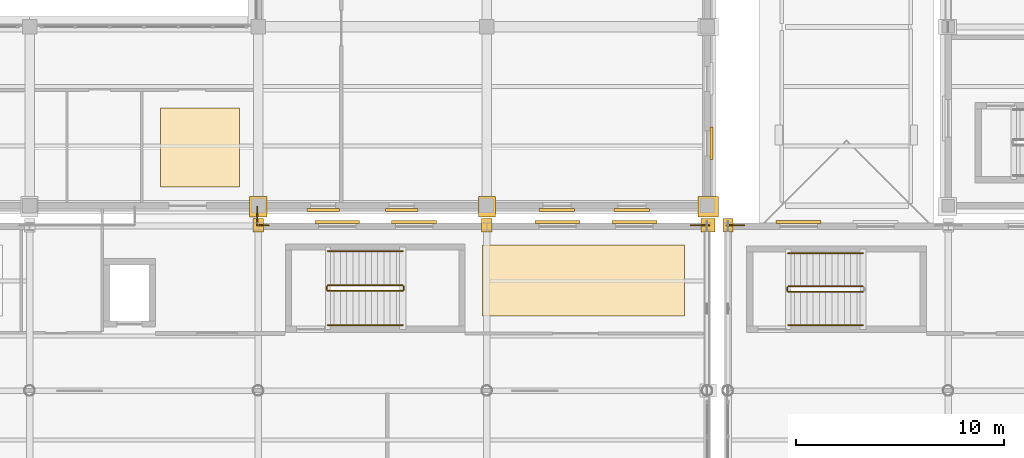
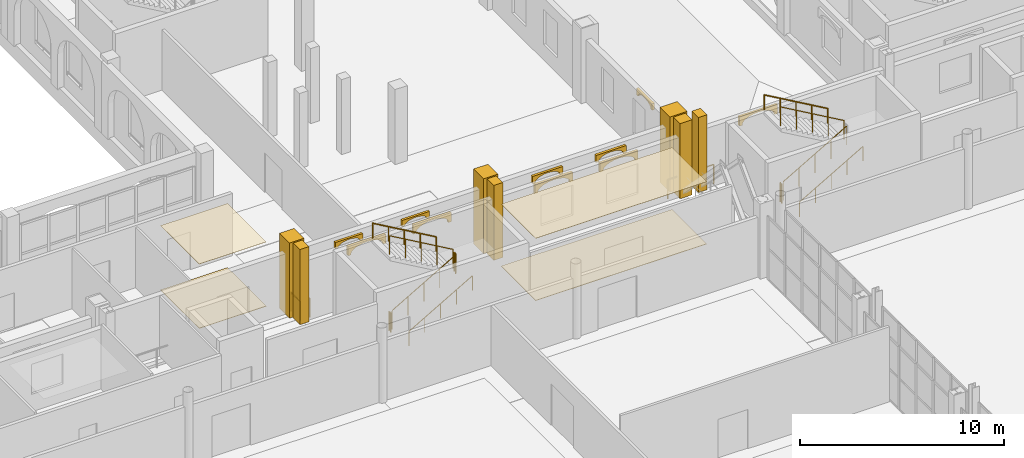
# One storey, part 142 of 156: 21 coverings, 15 railings.
"""IFC4 building model written with IfcOpenShell, lengths in metres."""

from ifc_helpers import new_model, si_unit, direction, frame, origin, origin_2d, place, context, subcontext, project, spatial, polyline, rectangle, circle, outline, extrude, material, layer, layer_set, type_object, element, save


model = new_model("IFC4")

# Units and contexts
model_context = context("Model", 3, precision=1e-05, world=origin(), true_north=direction((0.0, 1.0)))
body_context = subcontext(model_context, "Body", "Model", "MODEL_VIEW")
ifc_project = project(units=[si_unit("LENGTHUNIT", "METRE"), si_unit("AREAUNIT", "SQUARE_METRE"), si_unit("VOLUMEUNIT", "CUBIC_METRE"), si_unit("PLANEANGLEUNIT", "RADIAN"), si_unit("MASSUNIT", "GRAM", prefix="KILO")], contexts=[model_context])

# Site, building, storey
site_placement = place(None, origin())
site = spatial("IfcSite", under=ifc_project, at=site_placement, CompositionType="ELEMENT")
building_placement = place(site_placement, origin())
building = spatial("IfcBuilding", under=site, at=building_placement, Name="Caurita Quay Ferry Terminal", CompositionType="ELEMENT")
storey_placement = place(building_placement, frame((0.0, 0.0, 5.39990234375)))
storey = spatial("IfcBuildingStorey", under=building, at=storey_placement, Name="L01", CompositionType="ELEMENT", Elevation=5.39990234375)

# Coverings
ifc_material_1 = material(Name="Acoustic mineral fibre tile", Category="finish")
ifc_layer_1 = layer(ifc_material_1, 0.02001953125, Name="Acoustic mineral-fibre suspended ceiling 20 mm")
ifc_layer_set_1 = layer_set([ifc_layer_1], Name="Acoustic mineral fibre tile")
covering_type_1 = type_object("IfcCoveringType", Name="COV-CEIL-020", PredefinedType="CEILING", material=ifc_layer_set_1)
covering_1_placement = place(storey_placement, frame((0.0, 0.0, 3.726318359375)))
element("IfcCovering", 1, at=covering_1_placement, inside=storey, type_object=covering_type_1, Name="Caribbean Duty-Free Retail Concession Acoustic Ceiling", PredefinedType="CEILING", context=body_context, shape_type="SweptSolid", body=[
    extrude(outline(polyline([(76.800048828125, 66.300048828125), (86.5, 66.300048828125), (86.5, 69.699951171875), (76.800048828125, 69.699951171875), (76.800048828125, 66.300048828125)])), origin(), (0.0, 0.0, 1.0), 0.019775390625),
])
covering_2_placement = place(storey_placement, frame((0.0, 0.0, 3.853271484375)))
element("IfcCovering", 2, at=covering_2_placement, inside=storey, type_object=covering_type_1, Name="Operations Cleaners Store L01 Acoustic Ceiling", PredefinedType="CEILING", context=body_context, shape_type="SweptSolid", body=[
    extrude(outline(polyline([(61.300048828125, 72.5), (65.10009765625, 72.5), (65.10009765625, 76.300048828125), (61.300048828125, 76.300048828125), (61.300048828125, 72.5)])), origin(), (0.0, 0.0, 1.0), 0.02001953125),
])
ifc_material_2 = material(Name="Polished marine terrazzo tile", Category="finish")
ifc_layer_2 = layer(ifc_material_2, 0.02490234375, Name="Polished marine terrazzo floor finish 25 mm")
ifc_layer_set_2 = layer_set([ifc_layer_2], Name="Polished marine terrazzo tile")
covering_type_2 = type_object("IfcCoveringType", Name="COV-FLR-025", PredefinedType="FLOORING", material=ifc_layer_set_2)
covering_3_placement = place(storey_placement, origin())
element("IfcCovering", 3, at=covering_3_placement, inside=storey, type_object=covering_type_2, Name="Caribbean Duty-Free Retail Concession Terrazzo Flooring", PredefinedType="FLOORING", context=body_context, shape_type="SweptSolid", body=[
    extrude(outline(polyline([(76.800048828125, 66.300048828125), (86.5, 66.300048828125), (86.5, 69.699951171875), (76.800048828125, 69.699951171875), (76.800048828125, 66.300048828125)])), origin(), (0.0, 0.0, 1.0), 0.025146484375),
])
covering_4_placement = place(storey_placement, origin())
element("IfcCovering", 4, at=covering_4_placement, inside=storey, type_object=covering_type_2, Name="Operations Cleaners Store L01 Terrazzo Flooring", PredefinedType="FLOORING", context=body_context, shape_type="SweptSolid", body=[
    extrude(outline(polyline([(61.300048828125, 72.5), (65.10009765625, 72.5), (65.10009765625, 76.300048828125), (61.300048828125, 76.300048828125), (61.300048828125, 72.5)])), origin(), (0.0, 0.0, 1.0), 0.025146484375),
])
ifc_material_3 = material(Name="Warm-white lime stucco masonry", Category="masonry")
ifc_layer_3 = layer(ifc_material_3, 0.179931640625, Name="Classical engaged lime-stucco facade pilaster cladding 180 mm")
ifc_layer_set_3 = layer_set([ifc_layer_3], Name="Warm-white lime stucco masonry")
covering_type_3 = type_object("IfcCoveringType", Name="COV-PIL-CLD", PredefinedType="CLADDING", material=ifc_layer_set_3)
for number, where, z_axis, x_axis, name in (
    (5, (66.0, 70.64990234375, 0.0), (0.0, 0.0, 1.0), (1.0, 0.0, 0.0), "L01 Classical Engaged Pilaster 0059"),
    (6, (77.0, 70.64990234375, 0.0), (0.0, 0.0, 1.0), (1.0, 0.0, 0.0), "L01 Classical Engaged Pilaster 0067"),
):
    element("IfcCovering", number, at=place(storey_placement, frame(where, z_axis=z_axis, x_axis=x_axis)), inside=storey, type_object=covering_type_3, Name=name, PredefinedType="CLADDING", context=body_context, shape_type="SweptSolid", body=[
        extrude(rectangle(XDim=0.513671875, YDim=0.656005859375, at=origin_2d()), origin(), (0.0, 0.0, 1.0), 4.5),
    ])
covering_5_placement = place(storey_placement, frame((87.64990234375, 70.64990234375, 0.0), z_axis=(0.0, 0.0, 1.0), x_axis=(1.0, 0.0, 0.0)))
element("IfcCovering", 7, at=covering_5_placement, inside=storey, type_object=covering_type_3, Name="L01 Classical Engaged Pilaster 0080", PredefinedType="CLADDING", context=body_context, shape_type="SweptSolid", body=[
    extrude(rectangle(XDim=0.673583984375, YDim=0.656005859375, at=origin_2d()), origin(), (0.0, 0.0, 1.0), 4.5),
])
covering_6_placement = place(storey_placement, frame((88.60009765625, 70.64990234375, 0.0), z_axis=(0.0, 0.0, 1.0), x_axis=(1.0, 0.0, 0.0)))
element("IfcCovering", 8, at=covering_6_placement, inside=storey, type_object=covering_type_3, Name="L01 Classical Engaged Pilaster 0087", PredefinedType="CLADDING", context=body_context, shape_type="SweptSolid", body=[
    extrude(rectangle(XDim=0.492919921875, YDim=0.64794921875, at=origin_2d()), origin(), (0.0, 0.0, 1.0), 4.5),
])
for number, where, z_axis, x_axis, name in (
    (9, (66.0, 71.550048828125, 0.0), (0.0, 0.0, 1.0), (1.0, 0.0, 0.0), "L01 Classical Engaged Pilaster 0369"),
    (10, (77.0, 71.550048828125, 0.0), (0.0, 0.0, 1.0), (1.0, 0.0, 0.0), "L01 Classical Engaged Pilaster 0385"),
):
    element("IfcCovering", number, at=place(storey_placement, frame(where, z_axis=z_axis, x_axis=x_axis)), inside=storey, type_object=covering_type_3, Name=name, PredefinedType="CLADDING", context=body_context, shape_type="SweptSolid", body=[
        extrude(rectangle(XDim=0.820068359375, YDim=0.97998046875, at=origin_2d()), origin(), (0.0, 0.0, 1.0), 4.5),
    ])
covering_7_placement = place(storey_placement, frame((87.64990234375, 71.550048828125, 0.0), z_axis=(0.0, 0.0, 1.0), x_axis=(1.0, 0.0, 0.0)))
element("IfcCovering", 11, at=covering_7_placement, inside=storey, type_object=covering_type_3, Name="L01 Classical Engaged Pilaster 0395", PredefinedType="CLADDING", context=body_context, shape_type="SweptSolid", body=[
    extrude(rectangle(XDim=0.97998046875, YDim=0.97998046875, at=origin_2d()), origin(), (0.0, 0.0, 1.0), 4.5),
])
ifc_material_4 = material(Name="Coral stone ashlar cladding", Category="masonry")
ifc_layer_4 = layer(ifc_material_4, 0.139892578125, Name="Spanish Colonial semicircular arched window surround 140 mm")
ifc_layer_set_4 = layer_set([ifc_layer_4], Name="Coral stone ashlar cladding")
covering_type_4 = type_object("IfcCoveringType", Name="COV-WHD-MLD", PredefinedType="MOLDING", material=ifc_layer_set_4)
for number, where, z_axis, x_axis, name in (
    (12, (68.340087890625, 71.385009765625, 3.030029296875), (0.0, 0.0, 1.0), (1.0, 0.0, 0.0), "L01 Arched Window Surround 062"),
    (13, (72.1201171875, 71.385009765625, 3.030029296875), (0.0, 0.0, 1.0), (1.0, 0.0, 0.0), "L01 Arched Window Surround 063"),
):
    element("IfcCovering", number, at=place(storey_placement, frame(where, z_axis=z_axis, x_axis=x_axis)), inside=storey, type_object=covering_type_4, Name=name, PredefinedType="MOLDING", context=body_context, shape_type="SweptSolid", body=[
        extrude(outline(polyline([(0.0, 0.0), (0.159912109375, 0.0), (0.159912109375, 0.0400390625), (0.1904296875, 0.12158203125), (0.2783203125, 0.195068359375), (0.41552734375, 0.253662109375), (0.58837890625, 0.291015625), (0.77978515625, 0.303955078125), (0.971435546875, 0.291015625), (1.144287109375, 0.253662109375), (1.281494140625, 0.195068359375), (1.369384765625, 0.12158203125), (1.39990234375, 0.0400390625), (1.39990234375, 0.0), (1.559814453125, 0.0), (1.559814453125, 0.384033203125), (0.0, 0.384033203125), (0.0, 0.0)])), frame((0.0, 0.06982421875, 0.0), z_axis=(0.0, -1.0, 0.0), x_axis=(1.0, 0.0, 0.0)), (0.0, 0.0, 1.0), 0.139892578125),
    ])
for number, where, z_axis, x_axis, name in (
    (14, (79.52001953125, 71.385009765625, 3.030029296875), (0.0, 0.0, 1.0), (1.0, 0.0, 0.0), "L01 Arched Window Surround 064"),
    (15, (83.1201171875, 71.385009765625, 3.030029296875), (0.0, 0.0, 1.0), (1.0, 0.0, 0.0), "L01 Arched Window Surround 065"),
):
    element("IfcCovering", number, at=place(storey_placement, frame(where, z_axis=z_axis, x_axis=x_axis)), inside=storey, type_object=covering_type_4, Name=name, PredefinedType="MOLDING", context=body_context, shape_type="SweptSolid", body=[
        extrude(outline(polyline([(0.0, 0.0), (0.159912109375, 0.0), (0.159912109375, 0.0400390625), (0.194091796875, 0.136474609375), (0.292724609375, 0.223388671875), (0.446533203125, 0.29248046875), (0.64013671875, 0.336669921875), (0.85498046875, 0.35205078125), (1.06982421875, 0.336669921875), (1.263427734375, 0.29248046875), (1.417236328125, 0.223388671875), (1.515869140625, 0.136474609375), (1.550048828125, 0.0400390625), (1.550048828125, 0.0), (1.7099609375, 0.0), (1.7099609375, 0.43212890625), (0.0, 0.43212890625), (0.0, 0.0)])), frame((0.0, 0.06982421875, 0.0), z_axis=(0.0, -1.0, 0.0), x_axis=(1.0, 0.0, 0.0)), (0.0, 0.0, 1.0), 0.139892578125),
    ])
covering_8_placement = place(storey_placement, frame((87.81494140625, 73.820068359375, 3.030029296875), z_axis=(0.0, 0.0, 1.0), x_axis=(0.0, 1.0, 0.0)))
element("IfcCovering", 16, at=covering_8_placement, inside=storey, type_object=covering_type_4, Name="L01 Arched Window Surround 081", PredefinedType="MOLDING", context=body_context, shape_type="SweptSolid", body=[
    extrude(outline(polyline([(0.0, 0.0), (0.159912109375, 0.0), (0.159912109375, 0.0400390625), (0.1904296875, 0.12158203125), (0.2783203125, 0.195068359375), (0.41552734375, 0.253662109375), (0.58837890625, 0.291015625), (0.77978515625, 0.303955078125), (0.971435546875, 0.291015625), (1.144287109375, 0.253662109375), (1.281494140625, 0.195068359375), (1.369384765625, 0.12158203125), (1.39990234375, 0.0400390625), (1.39990234375, 0.0), (1.559814453125, 0.0), (1.559814453125, 0.384033203125), (0.0, 0.384033203125), (0.0, 0.0)])), frame((0.0, 0.06982421875, 0.0), z_axis=(0.0, -1.0, 0.0), x_axis=(1.0, 0.0, 0.0)), (0.0, 0.0, 1.0), 0.139892578125),
])
covering_9_placement = place(storey_placement, frame((74.580078125, 70.81494140625, 2.830078125), z_axis=(0.0, 0.0, 1.0), x_axis=(-1.0, 0.0, 0.0)))
element("IfcCovering", 17, at=covering_9_placement, inside=storey, type_object=covering_type_4, Name="L01 Arched Window Surround 149", PredefinedType="MOLDING", context=body_context, shape_type="SweptSolid", body=[
    extrude(outline(polyline([(0.0, 0.0), (0.159912109375, 0.0), (0.159912109375, 0.0400390625), (0.205078125, 0.1728515625), (0.335693359375, 0.292724609375), (0.539306640625, 0.387939453125), (0.795654296875, 0.448974609375), (1.080078125, 0.469970703125), (1.364501953125, 0.448974609375), (1.620849609375, 0.387939453125), (1.824462890625, 0.292724609375), (1.955078125, 0.1728515625), (2.000244140625, 0.0400390625), (2.000244140625, 0.0), (2.16015625, 0.0), (2.16015625, 0.550048828125), (0.0, 0.550048828125), (0.0, 0.0)])), frame((0.0, 0.06982421875, 0.0), z_axis=(0.0, -1.0, 0.0), x_axis=(1.0, 0.0, 0.0)), (0.0, 0.0, 1.0), 0.139892578125),
])
for number, where, z_axis, x_axis, name in (
    (18, (70.8798828125, 70.81494140625, 2.830078125), (0.0, 0.0, 1.0), (-1.0, 0.0, 0.0), "L01 Arched Window Surround 150"),
    (19, (85.179931640625, 70.81494140625, 2.830078125), (0.0, 0.0, 1.0), (-1.0, 0.0, 0.0), "L01 Arched Window Surround 151"),
    (20, (81.47998046875, 70.81494140625, 2.830078125), (0.0, 0.0, 1.0), (-1.0, 0.0, 0.0), "L01 Arched Window Surround 152"),
):
    element("IfcCovering", number, at=place(storey_placement, frame(where, z_axis=z_axis, x_axis=x_axis)), inside=storey, type_object=covering_type_4, Name=name, PredefinedType="MOLDING", context=body_context, shape_type="SweptSolid", body=[
        extrude(outline(polyline([(0.0, 0.0), (0.159912109375, 0.0), (0.159912109375, 0.0400390625), (0.205078125, 0.1728515625), (0.335693359375, 0.292724609375), (0.539306640625, 0.387939453125), (0.795654296875, 0.448974609375), (1.080078125, 0.469970703125), (1.3642578125, 0.448974609375), (1.62060546875, 0.387939453125), (1.82421875, 0.292724609375), (1.954833984375, 0.1728515625), (2.0, 0.0400390625), (2.0, 0.0), (2.159912109375, 0.0), (2.159912109375, 0.550048828125), (0.0, 0.550048828125), (0.0, 0.0)])), frame((0.0, 0.06982421875, 0.0), z_axis=(0.0, -1.0, 0.0), x_axis=(1.0, 0.0, 0.0)), (0.0, 0.0, 1.0), 0.139892578125),
    ])
covering_10_placement = place(storey_placement, frame((93.080078125, 70.81494140625, 2.830078125), z_axis=(0.0, 0.0, 1.0), x_axis=(-1.0, 0.0, 0.0)))
element("IfcCovering", 21, at=covering_10_placement, inside=storey, type_object=covering_type_4, Name="L01 Arched Window Surround 154", PredefinedType="MOLDING", context=body_context, shape_type="SweptSolid", body=[
    extrude(outline(polyline([(0.0, 0.0), (0.159912109375, 0.0), (0.159912109375, 0.0400390625), (0.205078125, 0.1728515625), (0.335693359375, 0.292724609375), (0.539306640625, 0.387939453125), (0.795654296875, 0.448974609375), (1.080078125, 0.469970703125), (1.364501953125, 0.448974609375), (1.620849609375, 0.387939453125), (1.824462890625, 0.292724609375), (1.955078125, 0.1728515625), (2.000244140625, 0.0400390625), (2.000244140625, 0.0), (2.16015625, 0.0), (2.16015625, 0.550048828125), (0.0, 0.550048828125), (0.0, 0.0)])), frame((0.0, 0.06982421875, 0.0), z_axis=(0.0, -1.0, 0.0), x_axis=(1.0, 0.0, 0.0)), (0.0, 0.0, 1.0), 0.139892578125),
])

# Railings
ifc_material_5 = material(Name="Bronze architectural metalwork", Category="metal")
railing_type_1 = type_object("IfcRailingType", Name="RL-HND-090", PredefinedType="HANDRAIL", material=ifc_material_5)
railing_1_placement = place(storey_placement, frame((69.35009765625, 65.85009765625, 0.173095703125)))
element("IfcRailing", 22, at=railing_1_placement, inside=storey, type_object=railing_type_1, Name="L01 ST-07 stair handrail 1", PredefinedType="HANDRAIL", context=body_context, shape_type="SweptSolid", body=[
    extrude(circle(Radius=0.02392578125, at=origin_2d()), frame((0.0, 0.0, 0.8759765625), z_axis=(0.866178740119, 0.0, 0.499734319579), x_axis=(0.0, 1.0, 0.0)), (0.0, 0.0, 1.0), 4.156005859375),
    extrude(circle(Radius=0.02099609375, at=origin_2d()), origin(), (0.0, 0.0, 1.0), 0.851806640625),
    extrude(circle(Radius=0.02099609375, at=origin_2d()), frame((0.89990234375, 0.0, 0.519287109375)), (0.0, 0.0, 1.0), 0.851806640625),
    extrude(circle(Radius=0.02099609375, at=origin_2d()), frame((1.7998046875, 0.0, 1.03857421875)), (0.0, 0.0, 1.0), 0.851806640625),
    extrude(circle(Radius=0.02099609375, at=origin_2d()), frame((2.699951171875, 0.0, 1.5576171875)), (0.0, 0.0, 1.0), 0.851806640625),
    extrude(circle(Radius=0.02099609375, at=origin_2d()), frame((3.599853515625, 0.0, 2.076904296875)), (0.0, 0.0, 1.0), 0.851806640625),
])
railing_2_placement = place(storey_placement, frame((72.949951171875, 69.409912109375, 2.423095703125)))
element("IfcRailing", 23, at=railing_2_placement, inside=storey, type_object=railing_type_1, Name="L01 ST-07 stair handrail 2", PredefinedType="HANDRAIL", context=body_context, shape_type="SweptSolid", body=[
    extrude(circle(Radius=0.02392578125, at=origin_2d()), frame((0.0, 0.0, 0.8759765625), z_axis=(-0.866178740119, 0.0, 0.499734319579), x_axis=(0.0, -1.0, 0.0)), (0.0, 0.0, 1.0), 4.156005859375),
    extrude(circle(Radius=0.02099609375, at=origin_2d()), origin(), (0.0, 0.0, 1.0), 0.851806640625),
    extrude(circle(Radius=0.02099609375, at=origin_2d()), frame((-0.89990234375, 0.0, 0.519287109375)), (0.0, 0.0, 1.0), 0.851806640625),
    extrude(circle(Radius=0.02099609375, at=origin_2d()), frame((-1.7998046875, 0.0, 1.03857421875)), (0.0, 0.0, 1.0), 0.851806640625),
    extrude(circle(Radius=0.02099609375, at=origin_2d()), frame((-2.699951171875, 0.0, 1.5576171875)), (0.0, 0.0, 1.0), 0.851806640625),
    extrude(circle(Radius=0.02099609375, at=origin_2d()), frame((-3.599853515625, 0.0, 2.076904296875)), (0.0, 0.0, 1.0), 0.851806640625),
])
railing_3_placement = place(storey_placement, frame((91.5, 65.85009765625, 0.173095703125)))
element("IfcRailing", 24, at=railing_3_placement, inside=storey, type_object=railing_type_1, Name="L01 ST-08 stair handrail 1", PredefinedType="HANDRAIL", context=body_context, shape_type="SweptSolid", body=[
    extrude(circle(Radius=0.02392578125, at=origin_2d()), frame((0.0, 0.0, 0.8759765625), z_axis=(0.866193409371, 0.0, 0.499708892819), x_axis=(0.0, 1.0, 0.0)), (0.0, 0.0, 1.0), 4.15625),
    extrude(circle(Radius=0.02099609375, at=origin_2d()), origin(), (0.0, 0.0, 1.0), 0.851806640625),
    extrude(circle(Radius=0.02099609375, at=origin_2d()), frame((0.89990234375, 0.0, 0.519287109375)), (0.0, 0.0, 1.0), 0.851806640625),
    extrude(circle(Radius=0.02099609375, at=origin_2d()), frame((1.800048828125, 0.0, 1.03857421875)), (0.0, 0.0, 1.0), 0.851806640625),
    extrude(circle(Radius=0.02099609375, at=origin_2d()), frame((2.7001953125, 0.0, 1.5576171875)), (0.0, 0.0, 1.0), 0.851806640625),
    extrude(circle(Radius=0.02099609375, at=origin_2d()), frame((3.60009765625, 0.0, 2.076904296875)), (0.0, 0.0, 1.0), 0.851806640625),
])
railing_4_placement = place(storey_placement, frame((95.10009765625, 69.31005859375, 2.423095703125)))
element("IfcRailing", 25, at=railing_4_placement, inside=storey, type_object=railing_type_1, Name="L01 ST-08 stair handrail 2", PredefinedType="HANDRAIL", context=body_context, shape_type="SweptSolid", body=[
    extrude(circle(Radius=0.02392578125, at=origin_2d()), frame((0.0, 0.0, 0.8759765625), z_axis=(-0.866193409371, 0.0, 0.499708892819), x_axis=(0.0, -1.0, 0.0)), (0.0, 0.0, 1.0), 4.15625),
    extrude(circle(Radius=0.02099609375, at=origin_2d()), origin(), (0.0, 0.0, 1.0), 0.851806640625),
    extrude(circle(Radius=0.02099609375, at=origin_2d()), frame((-0.89990234375, 0.0, 0.519287109375)), (0.0, 0.0, 1.0), 0.851806640625),
    extrude(circle(Radius=0.02099609375, at=origin_2d()), frame((-1.800048828125, 0.0, 1.03857421875)), (0.0, 0.0, 1.0), 0.851806640625),
    extrude(circle(Radius=0.02099609375, at=origin_2d()), frame((-2.7001953125, 0.0, 1.5576171875)), (0.0, 0.0, 1.0), 0.851806640625),
    extrude(circle(Radius=0.02099609375, at=origin_2d()), frame((-3.60009765625, 0.0, 2.076904296875)), (0.0, 0.0, 1.0), 0.851806640625),
])
railing_type_2 = type_object("IfcRailingType", Name="RL-REJA-115", PredefinedType="BALUSTRADE", material=ifc_material_5)
railing_5_placement = place(storey_placement, frame((65.949951171875, 71.550048828125, 0.0)))
element("IfcRailing", 26, at=railing_5_placement, inside=storey, type_object=railing_type_2, Name="L01 North East Link Bridge East Guard (047)", PredefinedType="BALUSTRADE", context=body_context, shape_type="SweptSolid", body=[
    extrude(circle(Radius=0.02392578125, at=origin_2d()), frame((0.0, 0.0, 1.1259765625), z_axis=(0.0, -1.0, 0.0), x_axis=(1.0, 0.0, 0.0)), (0.0, 0.0, 1.0), 0.900146484375),
    extrude(circle(Radius=0.02099609375, at=origin_2d()), origin(), (0.0, 0.0, 1.0), 1.101806640625),
    extrude(circle(Radius=0.02099609375, at=origin_2d()), frame((0.0, -0.900146484375, 0.0)), (0.0, 0.0, 1.0), 1.101806640625),
])
railing_6_placement = place(storey_placement, frame((65.949951171875, 70.64990234375, 0.0)))
element("IfcRailing", 27, at=railing_6_placement, inside=storey, type_object=railing_type_2, Name="L01 North East Link Bridge East Guard (048)", PredefinedType="BALUSTRADE", context=body_context, shape_type="SweptSolid", body=[
    extrude(circle(Radius=0.02392578125, at=origin_2d()), frame((0.0, 0.0, 1.1259765625), z_axis=(1.0, 0.0, 0.0), x_axis=(0.0, 1.0, 0.0)), (0.0, 0.0, 1.0), 0.550048828125),
    extrude(circle(Radius=0.02099609375, at=origin_2d()), origin(), (0.0, 0.0, 1.0), 1.101806640625),
    extrude(circle(Radius=0.02099609375, at=origin_2d()), frame((0.550048828125, 0.0, 0.0)), (0.0, 0.0, 1.0), 1.101806640625),
])
railing_7_placement = place(storey_placement, frame((86.800048828125, 70.64990234375, 0.0)))
element("IfcRailing", 28, at=railing_7_placement, inside=storey, type_object=railing_type_2, Name="L01 V1 NE Corner Guard (096)", PredefinedType="BALUSTRADE", context=body_context, shape_type="SweptSolid", body=[
    extrude(circle(Radius=0.02392578125, at=origin_2d()), frame((0.0, 0.0, 1.1259765625), z_axis=(1.0, 0.0, 0.0), x_axis=(0.0, 1.0, 0.0)), (0.0, 0.0, 1.0), 0.89990234375),
    extrude(circle(Radius=0.02099609375, at=origin_2d()), origin(), (0.0, 0.0, 1.0), 1.101806640625),
    extrude(circle(Radius=0.02099609375, at=origin_2d()), frame((0.89990234375, 0.0, 0.0)), (0.0, 0.0, 1.0), 1.101806640625),
])
railing_8_placement = place(storey_placement, frame((89.39990234375, 70.64990234375, 0.0)))
element("IfcRailing", 29, at=railing_8_placement, inside=storey, type_object=railing_type_2, Name="L01 V2 NW Corner Guard (098)", PredefinedType="BALUSTRADE", context=body_context, shape_type="SweptSolid", body=[
    extrude(circle(Radius=0.02392578125, at=origin_2d()), frame((0.0, 0.0, 1.1259765625), z_axis=(-1.0, 0.0, 0.0), x_axis=(0.0, -1.0, 0.0)), (0.0, 0.0, 1.0), 0.849853515625),
    extrude(circle(Radius=0.02099609375, at=origin_2d()), origin(), (0.0, 0.0, 1.0), 1.101806640625),
    extrude(circle(Radius=0.02099609375, at=origin_2d()), frame((-0.849853515625, 0.0, 0.0)), (0.0, 0.0, 1.0), 1.101806640625),
])
railing_9_placement = place(storey_placement, frame((69.35009765625, 67.5, 0.173095703125)))
element("IfcRailing", 30, at=railing_9_placement, inside=storey, type_object=railing_type_2, Name="L01 ST-07 stair guard 1", PredefinedType="BALUSTRADE", context=body_context, shape_type="SweptSolid", body=[
    extrude(circle(Radius=0.02392578125, at=origin_2d()), frame((0.0, 0.0, 1.1259765625), z_axis=(0.866178740119, 0.0, 0.499734319579), x_axis=(0.0, 1.0, 0.0)), (0.0, 0.0, 1.0), 4.156005859375),
    extrude(circle(Radius=0.02099609375, at=origin_2d()), origin(), (0.0, 0.0, 1.0), 1.101806640625),
    extrude(circle(Radius=0.02099609375, at=origin_2d()), frame((0.89990234375, 0.0, 0.519287109375)), (0.0, 0.0, 1.0), 1.101806640625),
    extrude(circle(Radius=0.02099609375, at=origin_2d()), frame((1.7998046875, 0.0, 1.03857421875)), (0.0, 0.0, 1.0), 1.101806640625),
    extrude(circle(Radius=0.02099609375, at=origin_2d()), frame((2.699951171875, 0.0, 1.5576171875)), (0.0, 0.0, 1.0), 1.101806640625),
    extrude(circle(Radius=0.02099609375, at=origin_2d()), frame((3.599853515625, 0.0, 2.076904296875)), (0.0, 0.0, 1.0), 1.101806640625),
])
railing_10_placement = place(storey_placement, frame((73.0, 67.550048828125, 2.25)))
element("IfcRailing", 31, at=railing_10_placement, inside=storey, type_object=railing_type_2, Name="L01 ST-07 stair guard 2", PredefinedType="BALUSTRADE", context=body_context, shape_type="SweptSolid", body=[
    extrude(circle(Radius=0.02392578125, at=origin_2d()), frame((0.0, 0.0, 1.1259765625), z_axis=(0.0, 1.0, 0.0), x_axis=(-1.0, 0.0, 0.0)), (0.0, 0.0, 1.0), 0.159912109375),
    extrude(circle(Radius=0.02099609375, at=origin_2d()), origin(), (0.0, 0.0, 1.0), 1.101806640625),
    extrude(circle(Radius=0.02099609375, at=origin_2d()), frame((0.0, 0.159912109375, 0.0)), (0.0, 0.0, 1.0), 1.101806640625),
])
railing_11_placement = place(storey_placement, frame((72.949951171875, 67.760009765625, 2.423095703125)))
element("IfcRailing", 32, at=railing_11_placement, inside=storey, type_object=railing_type_2, Name="L01 ST-07 stair guard 3", PredefinedType="BALUSTRADE", context=body_context, shape_type="SweptSolid", body=[
    extrude(circle(Radius=0.02392578125, at=origin_2d()), frame((0.0, 0.0, 1.1259765625), z_axis=(-0.866178740119, 0.0, 0.499734319579), x_axis=(0.0, -1.0, 0.0)), (0.0, 0.0, 1.0), 4.156005859375),
    extrude(circle(Radius=0.02099609375, at=origin_2d()), origin(), (0.0, 0.0, 1.0), 1.101806640625),
    extrude(circle(Radius=0.02099609375, at=origin_2d()), frame((-0.89990234375, 0.0, 0.519287109375)), (0.0, 0.0, 1.0), 1.101806640625),
    extrude(circle(Radius=0.02099609375, at=origin_2d()), frame((-1.7998046875, 0.0, 1.03857421875)), (0.0, 0.0, 1.0), 1.101806640625),
    extrude(circle(Radius=0.02099609375, at=origin_2d()), frame((-2.699951171875, 0.0, 1.5576171875)), (0.0, 0.0, 1.0), 1.101806640625),
    extrude(circle(Radius=0.02099609375, at=origin_2d()), frame((-3.599853515625, 0.0, 2.076904296875)), (0.0, 0.0, 1.0), 1.101806640625),
])
railing_12_placement = place(storey_placement, frame((69.300048828125, 67.550048828125, 0.0)))
element("IfcRailing", 33, at=railing_12_placement, inside=storey, type_object=railing_type_2, Name="L01 ST-07 stair guard 4", PredefinedType="BALUSTRADE", context=body_context, shape_type="SweptSolid", body=[
    extrude(circle(Radius=0.02392578125, at=origin_2d()), frame((0.0, 0.0, 1.1259765625), z_axis=(0.0, 1.0, 0.0), x_axis=(-1.0, 0.0, 0.0)), (0.0, 0.0, 1.0), 0.159912109375),
    extrude(circle(Radius=0.02099609375, at=origin_2d()), origin(), (0.0, 0.0, 1.0), 1.101806640625),
    extrude(circle(Radius=0.02099609375, at=origin_2d()), frame((0.0, 0.159912109375, 0.0)), (0.0, 0.0, 1.0), 1.101806640625),
])
railing_13_placement = place(storey_placement, frame((91.5, 67.449951171875, 0.173095703125)))
element("IfcRailing", 34, at=railing_13_placement, inside=storey, type_object=railing_type_2, Name="L01 ST-08 stair guard 1", PredefinedType="BALUSTRADE", context=body_context, shape_type="SweptSolid", body=[
    extrude(circle(Radius=0.02392578125, at=origin_2d()), frame((0.0, 0.0, 1.1259765625), z_axis=(0.866193409371, 0.0, 0.499708892819), x_axis=(0.0, 1.0, 0.0)), (0.0, 0.0, 1.0), 4.15625),
    extrude(circle(Radius=0.02099609375, at=origin_2d()), origin(), (0.0, 0.0, 1.0), 1.101806640625),
    extrude(circle(Radius=0.02099609375, at=origin_2d()), frame((0.89990234375, 0.0, 0.519287109375)), (0.0, 0.0, 1.0), 1.101806640625),
    extrude(circle(Radius=0.02099609375, at=origin_2d()), frame((1.800048828125, 0.0, 1.03857421875)), (0.0, 0.0, 1.0), 1.101806640625),
    extrude(circle(Radius=0.02099609375, at=origin_2d()), frame((2.7001953125, 0.0, 1.5576171875)), (0.0, 0.0, 1.0), 1.101806640625),
    extrude(circle(Radius=0.02099609375, at=origin_2d()), frame((3.60009765625, 0.0, 2.076904296875)), (0.0, 0.0, 1.0), 1.101806640625),
])
railing_14_placement = place(storey_placement, frame((95.10009765625, 67.7099609375, 2.423095703125)))
element("IfcRailing", 35, at=railing_14_placement, inside=storey, type_object=railing_type_2, Name="L01 ST-08 stair guard 3", PredefinedType="BALUSTRADE", context=body_context, shape_type="SweptSolid", body=[
    extrude(circle(Radius=0.02392578125, at=origin_2d()), frame((0.0, 0.0, 1.1259765625), z_axis=(-0.866193409371, 0.0, 0.499708892819), x_axis=(0.0, -1.0, 0.0)), (0.0, 0.0, 1.0), 4.15625),
    extrude(circle(Radius=0.02099609375, at=origin_2d()), origin(), (0.0, 0.0, 1.0), 1.101806640625),
    extrude(circle(Radius=0.02099609375, at=origin_2d()), frame((-0.89990234375, 0.0, 0.519287109375)), (0.0, 0.0, 1.0), 1.101806640625),
    extrude(circle(Radius=0.02099609375, at=origin_2d()), frame((-1.800048828125, 0.0, 1.03857421875)), (0.0, 0.0, 1.0), 1.101806640625),
    extrude(circle(Radius=0.02099609375, at=origin_2d()), frame((-2.7001953125, 0.0, 1.5576171875)), (0.0, 0.0, 1.0), 1.101806640625),
    extrude(circle(Radius=0.02099609375, at=origin_2d()), frame((-3.60009765625, 0.0, 2.076904296875)), (0.0, 0.0, 1.0), 1.101806640625),
])
railing_15_placement = place(storey_placement, frame((91.449951171875, 67.5, 0.0)))
element("IfcRailing", 36, at=railing_15_placement, inside=storey, type_object=railing_type_2, Name="L01 ST-08 stair guard 4", PredefinedType="BALUSTRADE", context=body_context, shape_type="SweptSolid", body=[
    extrude(circle(Radius=0.02392578125, at=origin_2d()), frame((0.0, 0.0, 1.1259765625), z_axis=(0.0, 1.0, 0.0), x_axis=(-1.0, 0.0, 0.0)), (0.0, 0.0, 1.0), 0.159912109375),
    extrude(circle(Radius=0.02099609375, at=origin_2d()), origin(), (0.0, 0.0, 1.0), 1.101806640625),
    extrude(circle(Radius=0.02099609375, at=origin_2d()), frame((0.0, 0.159912109375, 0.0)), (0.0, 0.0, 1.0), 1.101806640625),
])

save(model, "model.ifc")
